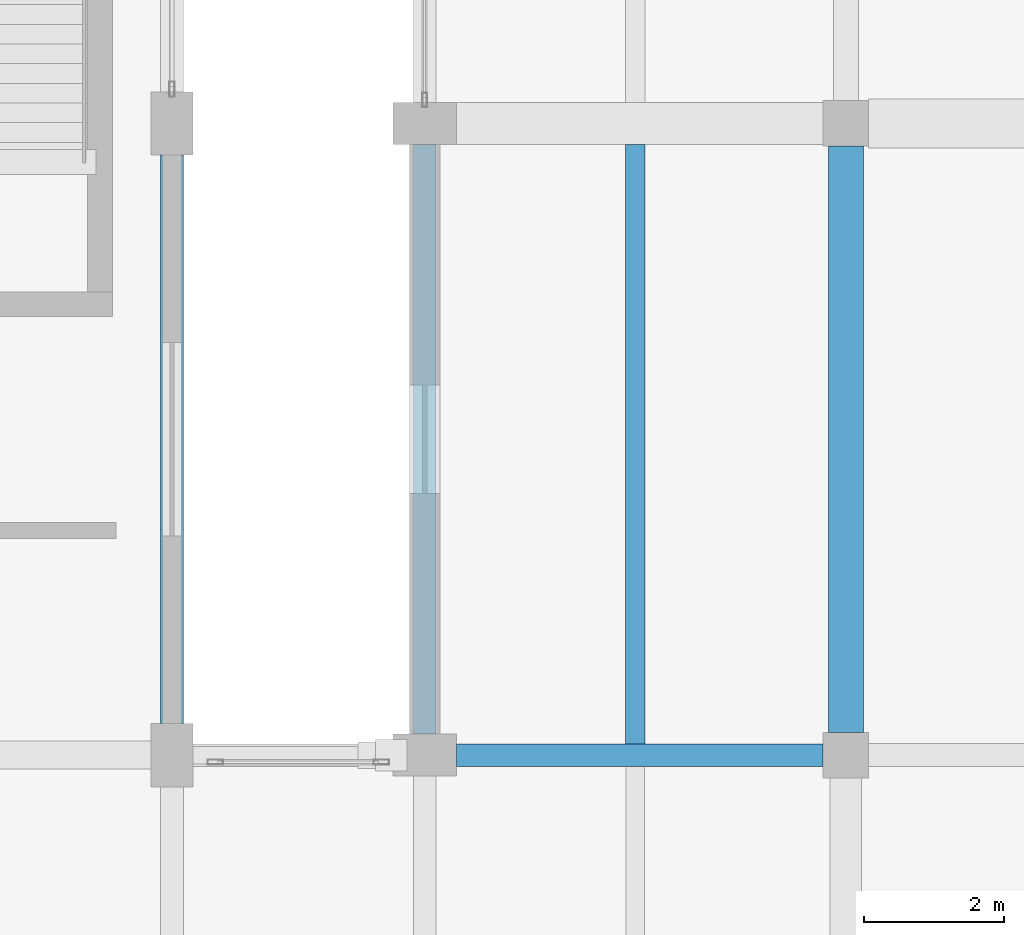
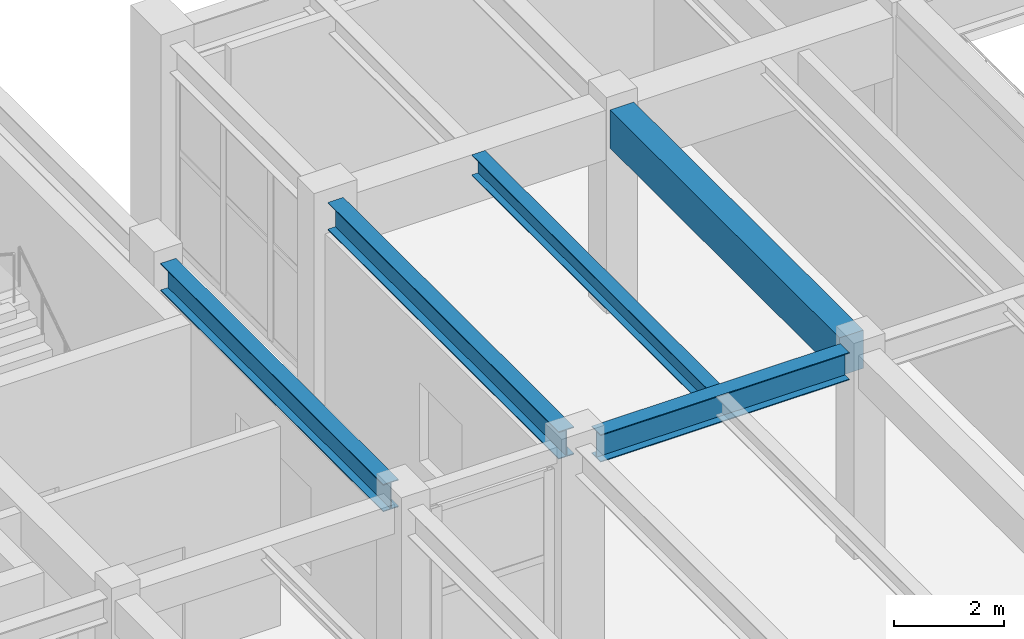
# One storey, part 15 of 85: 5 beams.
"""IFC4 building model written with IfcOpenShell, lengths in metres."""

from ifc_helpers import new_model, si_unit, direction, frame, origin, origin_2d, place, context, subcontext, project, spatial, rectangle, i_section, extrude, material, material_profile, profile_set, type_object, element, save


model = new_model("IFC4")

# Units and contexts
model_context = context("Model", 3, precision=1e-05, world=origin(), true_north=direction((0.0, 1.0)))
body_context = subcontext(model_context, "Body", "Model", "MODEL_VIEW")
ifc_project = project(units=[si_unit("LENGTHUNIT", "METRE"), si_unit("AREAUNIT", "SQUARE_METRE"), si_unit("VOLUMEUNIT", "CUBIC_METRE"), si_unit("PLANEANGLEUNIT", "RADIAN"), si_unit("MASSUNIT", "GRAM", prefix="KILO")], contexts=[model_context])

# Site, building, storey
site_placement = place(None, origin())
site = spatial("IfcSite", under=ifc_project, at=site_placement, CompositionType="ELEMENT")
building_placement = place(site_placement, origin())
building = spatial("IfcBuilding", under=site, at=building_placement, Name="Vaelkrest Opera House", CompositionType="ELEMENT")
storey_placement = place(building_placement, frame((0.0, 0.0, 10.199951171875)))
storey = spatial("IfcBuildingStorey", under=building, at=storey_placement, Name="L02", CompositionType="ELEMENT", Elevation=10.199951171875)

# Beams
ifc_material_1 = material(Name="Concrete C50/60", Category="concrete")
ifc_material_profile_1 = material_profile(ifc_material_1, rectangle(XDim=0.5, YDim=0.85009765625, at=origin_2d()), Name="RCB500X850")
ifc_profile_set_1 = profile_set([ifc_material_profile_1], Name="Concrete C50/60")
beam_type_1 = type_object("IfcBeamType", Name="B03", PredefinedType="BEAM", material=ifc_profile_set_1)
beam_1_placement = place(storey_placement, frame((-24.0, 1.52490234375, 4.080078125), z_axis=(0.0, 1.0, 0.0), x_axis=(-1.0, 0.0, 0.0)))
element("IfcBeam", 1, at=beam_1_placement, inside=storey, type_object=beam_type_1, Name="Beam BM-V1-L02-0376", PredefinedType="BEAM", context=body_context, shape_type="SweptSolid", body=[
    extrude(rectangle(XDim=0.5, YDim=0.85009765625, at=origin_2d()), origin(), (0.0, 0.0, 1.0), 8.35009765625),
])
ifc_material_2 = material(Name="Steel A992 Gr50", Category="steel")
ifc_material_profile_2 = material_profile(ifc_material_2, i_section(OverallWidth=0.323974609375, OverallDepth=0.611083984375, WebThickness=0.0126953125, FlangeThickness=0.01904296875, at=origin_2d()), Name="W24X104")
ifc_profile_set_2 = profile_set([ifc_material_profile_2], Name="Steel A992 Gr50")
beam_type_2 = type_object("IfcBeamType", Name="B08", PredefinedType="BEAM", material=ifc_profile_set_2)
beam_2_placement = place(storey_placement, frame((-29.550048828125, 1.199951171875, 4.199462890625), z_axis=(1.0, 0.0, 0.0), x_axis=(0.0, 1.0, 0.0)))
element("IfcBeam", 2, at=beam_2_placement, inside=storey, type_object=beam_type_2, Name="Beam BM-V1-L02-0345", PredefinedType="BEAM", context=body_context, shape_type="SweptSolid", body=[
    extrude(i_section(OverallWidth=0.323974609375, OverallDepth=0.611083984375, WebThickness=0.0126953125, FlangeThickness=0.01904296875, at=origin_2d()), origin(), (0.0, 0.0, 1.0), 5.22509765625),
])
ifc_material_profile_3 = material_profile(ifc_material_2, i_section(OverallWidth=0.280029296875, OverallDepth=0.462890625, WebThickness=0.0107421875, FlangeThickness=0.017333984375, at=origin_2d()), Name="W18X76")
ifc_profile_set_3 = profile_set([ifc_material_profile_3], Name="Steel A992 Gr50")
beam_type_3 = type_object("IfcBeamType", Name="J09", PredefinedType="JOIST", material=ifc_profile_set_3)
beam_3_placement = place(storey_placement, frame((-27.0, 1.362060546875, 4.2734375), z_axis=(0.0, 1.0, 0.0), x_axis=(-1.0, 0.0, 0.0)))
element("IfcBeam", 3, at=beam_3_placement, inside=storey, type_object=beam_type_3, Name="Floor joist JST-V1-L02-0409", PredefinedType="JOIST", context=body_context, shape_type="SweptSolid", body=[
    extrude(i_section(OverallWidth=0.280029296875, OverallDepth=0.462890625, WebThickness=0.0107421875, FlangeThickness=0.017333984375, at=origin_2d()), origin(), (0.0, 0.0, 1.0), 8.537841796875),
])
ifc_material_profile_4 = material_profile(ifc_material_2, i_section(OverallWidth=0.323974609375, OverallDepth=0.611083984375, WebThickness=0.0126953125, FlangeThickness=0.01904296875, at=origin_2d()), Name="W24X104")
ifc_profile_set_4 = profile_set([ifc_material_profile_4], Name="Steel A992 Gr50")
beam_type_4 = type_object("IfcBeamType", Name="SP01", PredefinedType="SPANDREL", material=ifc_profile_set_4)
beam_4_placement = place(storey_placement, frame((-30.0, 1.5, 4.199462890625), z_axis=(0.0, 1.0, 0.0), x_axis=(-1.0, 0.0, 0.0)))
element("IfcBeam", 4, at=beam_4_placement, inside=storey, type_object=beam_type_4, Name="Beam BM-V1-L02-0371", PredefinedType="SPANDREL", context=body_context, shape_type="SweptSolid", body=[
    extrude(i_section(OverallWidth=0.323974609375, OverallDepth=0.611083984375, WebThickness=0.0126953125, FlangeThickness=0.01904296875, at=origin_2d()), origin(), (0.0, 0.0, 1.0), 8.39990234375),
])
beam_5_placement = place(storey_placement, frame((-33.60009765625, 1.64990234375, 4.199462890625), z_axis=(0.0, 1.0, 0.0), x_axis=(-1.0, 0.0, 0.0)))
element("IfcBeam", 5, at=beam_5_placement, inside=storey, type_object=beam_type_4, Name="Beam BM-V3-L02-1702", PredefinedType="SPANDREL", context=body_context, shape_type="SweptSolid", body=[
    extrude(i_section(OverallWidth=0.323974609375, OverallDepth=0.611083984375, WebThickness=0.0126953125, FlangeThickness=0.01904296875, at=origin_2d()), origin(), (0.0, 0.0, 1.0), 8.10009765625),
])

save(model, "model.ifc")
